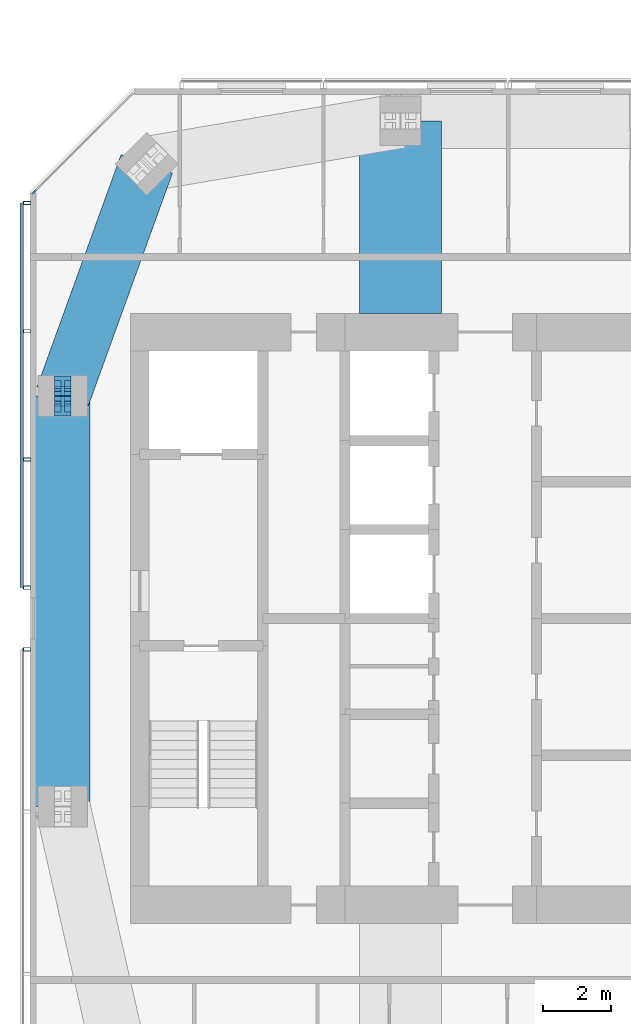
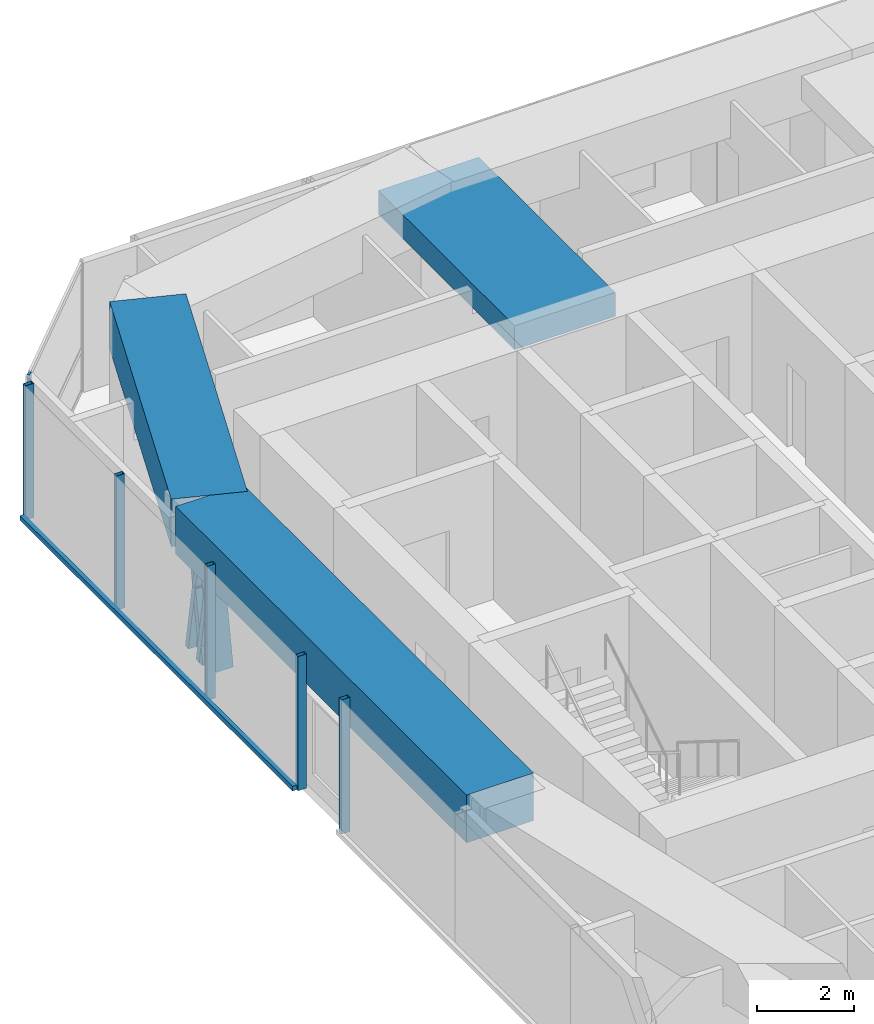
# One storey, part 5 of 18: 11 members, 3 beams, 3 elements without a shape of their own.
"""IFC4 building model written with IfcOpenShell, lengths in metres."""

from ifc_helpers import new_model, si_unit, direction, frame, origin, origin_2d, place, context, subcontext, project, spatial, rectangle, hollow_rectangle, i_section, extrude, material, material_profile, profile_set, type_object, element, aggregate, save


model = new_model("IFC4")

# Units and contexts
model_context = context("Model", 3, precision=1e-05, world=origin(), true_north=direction((0.0, 1.0)))
body_context = subcontext(model_context, "Body", "Model", "MODEL_VIEW")
ifc_project = project(units=[si_unit("LENGTHUNIT", "METRE"), si_unit("AREAUNIT", "SQUARE_METRE"), si_unit("VOLUMEUNIT", "CUBIC_METRE"), si_unit("PLANEANGLEUNIT", "RADIAN"), si_unit("MASSUNIT", "GRAM", prefix="KILO")], contexts=[model_context])

# Site, building, storey
site_placement = place(None, origin())
site = spatial("IfcSite", under=ifc_project, at=site_placement, CompositionType="ELEMENT")
building_placement = place(site_placement, origin())
building = spatial("IfcBuilding", under=site, at=building_placement, Name="Jalousie Tower", CompositionType="ELEMENT")
storey_placement = place(building_placement, frame((0.0, 0.0, 249.449951171875)))
storey = spatial("IfcBuildingStorey", under=building, at=storey_placement, Name="L68", CompositionType="ELEMENT", Elevation=249.449951171875)

# Curtain wall, member
ifc_material_1 = material(Name="Aluminium curtain wall", Category="aluminium")
curtain_wall_type_1 = type_object("IfcCurtainWallType", Name="CORNER WINDOW WALL", PredefinedType="USERDEFINED", material=ifc_material_1)
curtain_wall_1_placement = place(storey_placement, origin())
curtain_wall_1 = element("IfcCurtainWall", 1, at=curtain_wall_1_placement, inside=storey, type_object=curtain_wall_type_1, Name="Corner Window Wall L68 6", ObjectType="CORNER WINDOW WALL", PredefinedType="USERDEFINED")
ifc_material_2 = material(Name="Aluminium mullion", Category="aluminium")
ifc_material_profile_1 = material_profile(ifc_material_2, rectangle(XDim=0.06005859375, YDim=0.14990234375, at=origin_2d()), Name="MULLION 60x150")
ifc_profile_set_1 = profile_set([ifc_material_profile_1], Name="Aluminium mullion")
member_type_1 = type_object("IfcMemberType", Name="CORNER WINDOW WALL MULLION", PredefinedType="MULLION", material=ifc_profile_set_1)
member_1_placement = place(storey_placement, frame((16.90869140625, 30.969970703125, 0.0), z_axis=(0.0, 0.0, 1.0), x_axis=(0.707106781187, -0.707106781187, 0.0)))
member_1 = element("IfcMember", 2, at=member_1_placement, type_object=member_type_1, Name="CW-C mullion 2", PredefinedType="MULLION", context=body_context, shape_type="SweptSolid", body=[
    extrude(rectangle(XDim=0.06005859375, YDim=0.14990234375, at=origin_2d()), origin(), (0.0, 0.0, 1.0), 3.260009765625),
])
aggregate(curtain_wall_1, [member_1])

# Members
ifc_material_3 = material(Name="Steel ASTM A992 Grade 50", Category="steel")
ifc_material_profile_2 = material_profile(ifc_material_3, i_section(OverallWidth=0.472412109375, OverallDepth=0.5791015625, WebThickness=0.094970703125, FlangeThickness=0.1298828125, at=origin_2d()), Name="W14X808")
ifc_profile_set_2 = profile_set([ifc_material_profile_2], Name="Steel ASTM A992 Grade 50")
member_type_2 = type_object("IfcMemberType", Name="PERIMETER BRACE W14X808", PredefinedType="BRACE", material=ifc_profile_set_2)
for number, where, z_axis, x_axis, name in (
    (3, (17.75, 24.699951171875, -0.599853515625), (0.0, 0.168990530437, 0.98561767467), (-1.0, 0.0, 0.0), "Perimeter brace 13 L68 part 1"),
    (4, (17.75, 25.0, 1.150146484375), (0.0, 0.168990530437, 0.98561767467), (-1.0, 0.0, 0.0), "Perimeter brace 13 L68 part 2"),
    (5, (17.75, 25.300048828125, -0.599853515625), (0.0, -0.168990530437, 0.98561767467), (1.0, 0.0, 0.0), "Perimeter brace 13 L68 part 3"),
    (6, (17.75, 25.0, 1.150146484375), (0.0, -0.168990530437, 0.98561767467), (1.0, 0.0, 0.0), "Perimeter brace 13 L68 part 4"),
):
    element("IfcMember", number, at=place(storey_placement, frame(where, z_axis=z_axis, x_axis=x_axis)), inside=storey, type_object=member_type_2, Name=name, PredefinedType="BRACE", context=body_context, shape_type="SweptSolid", body=[
        extrude(i_section(OverallWidth=0.472412109375, OverallDepth=0.5791015625, WebThickness=0.094970703125, FlangeThickness=0.1298828125, at=origin_2d()), origin(), (0.0, 0.0, 1.0), 1.775634765625),
    ])

# Beams
ifc_material_4 = material(Name="Concrete f'c 40 MPa", Category="concrete")
ifc_material_profile_3 = material_profile(ifc_material_4, rectangle(XDim=1.60009765625, YDim=1.199951171875, at=origin_2d()), Name="RC 1600x1200")
ifc_profile_set_3 = profile_set([ifc_material_profile_3], Name="Concrete f'c 40 MPa")
beam_type_1 = type_object("IfcBeamType", Name="RC BEAM 1600x1200", PredefinedType="BEAM", material=ifc_profile_set_3)
beam_1_placement = place(storey_placement, frame((20.20703125, 31.79296875, 2.900146484375), z_axis=(-0.340136081654, -0.940376225751, 0.0), x_axis=(0.940376225751, -0.340136081654, 0.0)))
element("IfcBeam", 7, at=beam_1_placement, inside=storey, type_object=beam_type_1, Name="Edge band beam 12-13 under L69", PredefinedType="BEAM", context=body_context, shape_type="SweptSolid", body=[
    extrude(rectangle(XDim=1.60009765625, YDim=1.199951171875, at=origin_2d()), origin(), (0.0, 0.0, 1.0), 7.2236328125),
])
beam_2_placement = place(storey_placement, frame((17.75, 25.0, 2.900146484375), z_axis=(0.0, -1.0, 0.0), x_axis=(1.0, 0.0, 0.0)))
element("IfcBeam", 8, at=beam_2_placement, inside=storey, type_object=beam_type_1, Name="Edge band beam 13-14 under L69", PredefinedType="BEAM", context=body_context, shape_type="SweptSolid", body=[
    extrude(rectangle(XDim=1.60009765625, YDim=1.199951171875, at=origin_2d()), origin(), (0.0, 0.0, 1.0), 12.0),
])
ifc_material_5 = material(Name="Concrete f'c 40 MPa", Category="concrete")
ifc_material_profile_4 = material_profile(ifc_material_5, rectangle(XDim=2.39990234375, YDim=0.60009765625, at=origin_2d()), Name="RC 2400x600")
ifc_profile_set_4 = profile_set([ifc_material_profile_4], Name="Concrete f'c 40 MPa")
beam_type_2 = type_object("IfcBeamType", Name="RC BEAM 2400x600", PredefinedType="BEAM", material=ifc_profile_set_4)
beam_3_placement = place(storey_placement, frame((27.625, 33.050048828125, 2.9599609375), z_axis=(0.0, -1.0, 0.0), x_axis=(1.0, 0.0, 0.0)))
element("IfcBeam", 9, at=beam_3_placement, inside=storey, type_object=beam_type_2, Name="Floor band beam under L69", PredefinedType="BEAM", context=body_context, shape_type="SweptSolid", body=[
    extrude(rectangle(XDim=2.39990234375, YDim=0.60009765625, at=origin_2d()), origin(), (0.0, 0.0, 1.0), 5.625),
])

# Curtain wall, members
ifc_material_6 = material(Name="Perforated aluminium sheet", Category="aluminium")
curtain_wall_type_2 = type_object("IfcCurtainWallType", Name="SOLAR SCREEN SS-2", PredefinedType="USERDEFINED", material=ifc_material_6)
curtain_wall_2_placement = place(storey_placement, origin())
curtain_wall_2 = element("IfcCurtainWall", 10, at=curtain_wall_2_placement, inside=storey, type_object=curtain_wall_type_2, Name="Solar screen L68", ObjectType="SOLAR SCREEN SS-2", PredefinedType="USERDEFINED")
ifc_material_7 = material(Name="Steel ASTM A500 Grade C", Category="steel")
ifc_material_profile_5 = material_profile(ifc_material_7, hollow_rectangle(XDim=0.1015625, YDim=0.203125, WallThickness=0.0078125, at=origin_2d()), Name="HSS8X4X5/16")
ifc_profile_set_5 = profile_set([ifc_material_profile_5], Name="Steel ASTM A500 Grade C")
member_type_3 = type_object("IfcMemberType", Name="SOLAR SCREEN SS-2 MULLION", PredefinedType="MULLION", material=ifc_profile_set_5)
member_2_placement = place(storey_placement, frame((16.703369140625, 30.648681640625, -0.119873046875), z_axis=(0.0, 0.0, 1.0), x_axis=(0.0, -1.0, 0.0)))
member_2 = element("IfcMember", 11, at=member_2_placement, type_object=member_type_3, Name="SS2 post 1", PredefinedType="MULLION", context=body_context, shape_type="SweptSolid", body=[
    extrude(hollow_rectangle(XDim=0.1015625, YDim=0.203125, WallThickness=0.0078125, at=origin_2d()), origin(), (0.0, 0.0, 1.0), 3.3798828125),
])
member_3_placement = place(storey_placement, frame((16.703369140625, 26.899169921875, -0.119873046875), z_axis=(0.0, 0.0, 1.0), x_axis=(0.0, -1.0, 0.0)))
member_3 = element("IfcMember", 12, at=member_3_placement, type_object=member_type_3, Name="SS2 post 2", PredefinedType="MULLION", context=body_context, shape_type="SweptSolid", body=[
    extrude(hollow_rectangle(XDim=0.1015625, YDim=0.203125, WallThickness=0.0078125, at=origin_2d()), origin(), (0.0, 0.0, 1.0), 3.3798828125),
])
member_4_placement = place(storey_placement, frame((16.703369140625, 23.149658203125, -0.119873046875), z_axis=(0.0, 0.0, 1.0), x_axis=(0.0, -1.0, 0.0)))
member_4 = element("IfcMember", 13, at=member_4_placement, type_object=member_type_3, Name="SS2 post 3", PredefinedType="MULLION", context=body_context, shape_type="SweptSolid", body=[
    extrude(hollow_rectangle(XDim=0.1015625, YDim=0.203125, WallThickness=0.0078125, at=origin_2d()), origin(), (0.0, 0.0, 1.0), 3.3798828125),
])
member_5_placement = place(storey_placement, frame((16.703369140625, 19.39990234375, -0.119873046875), z_axis=(0.0, 0.0, 1.0), x_axis=(0.0, -1.0, 0.0)))
member_5 = element("IfcMember", 14, at=member_5_placement, type_object=member_type_3, Name="SS2 post 4", PredefinedType="MULLION", context=body_context, shape_type="SweptSolid", body=[
    extrude(hollow_rectangle(XDim=0.1015625, YDim=0.203125, WallThickness=0.0078125, at=origin_2d()), origin(), (0.0, 0.0, 1.0), 3.3798828125),
])

# Curtain wall, member
curtain_wall_3_placement = place(storey_placement, origin())
curtain_wall_3 = element("IfcCurtainWall", 15, at=curtain_wall_3_placement, inside=storey, type_object=curtain_wall_type_2, Name="Solar screen L68", ObjectType="SOLAR SCREEN SS-2", PredefinedType="USERDEFINED")
member_6_placement = place(storey_placement, frame((16.703369140625, 17.60009765625, -0.119873046875), z_axis=(0.0, 0.0, 1.0), x_axis=(0.0, -1.0, 0.0)))
member_6 = element("IfcMember", 16, at=member_6_placement, type_object=member_type_3, Name="SS2 post 1", PredefinedType="MULLION", context=body_context, shape_type="SweptSolid", body=[
    extrude(hollow_rectangle(XDim=0.1015625, YDim=0.203125, WallThickness=0.0078125, at=origin_2d()), origin(), (0.0, 0.0, 1.0), 3.3798828125),
])
aggregate(curtain_wall_3, [member_6])

# Member
ifc_material_8 = material(Name="Extruded aluminium screen rail", Category="aluminium")
ifc_material_profile_6 = material_profile(ifc_material_8, rectangle(XDim=0.1015625, YDim=0.1201171875, at=origin_2d()), Name="RAIL 102x120")
ifc_profile_set_6 = profile_set([ifc_material_profile_6], Name="Extruded aluminium screen rail")
member_type_4 = type_object("IfcMemberType", Name="SOLAR SCREEN SS-2 TRANSOM", PredefinedType="USERDEFINED", material=ifc_profile_set_6)
member_7_placement = place(storey_placement, frame((16.551025390625, 30.648681640625, -0.06005859375), z_axis=(0.0, -1.0, 0.0), x_axis=(1.0, 0.0, 0.0)))
member_7 = element("IfcMember", 17, at=member_7_placement, type_object=member_type_4, Name="SS2 rail", ObjectType="TRANSOM", PredefinedType="USERDEFINED", context=body_context, shape_type="SweptSolid", body=[
    extrude(rectangle(XDim=0.1015625, YDim=0.1201171875, at=origin_2d()), origin(), (0.0, 0.0, 1.0), 11.248779296875),
])

aggregate(curtain_wall_2, [member_2, member_3, member_4, member_5, member_7])

save(model, "model.ifc")
